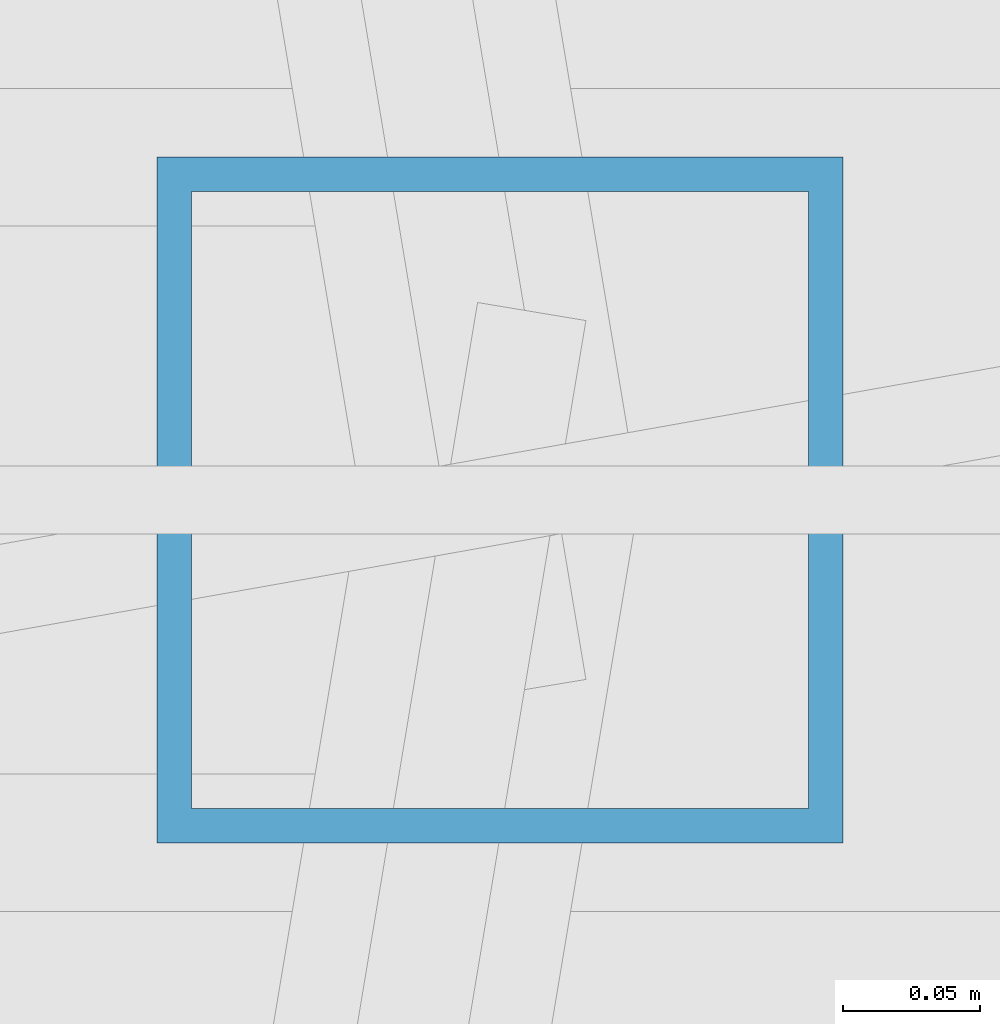
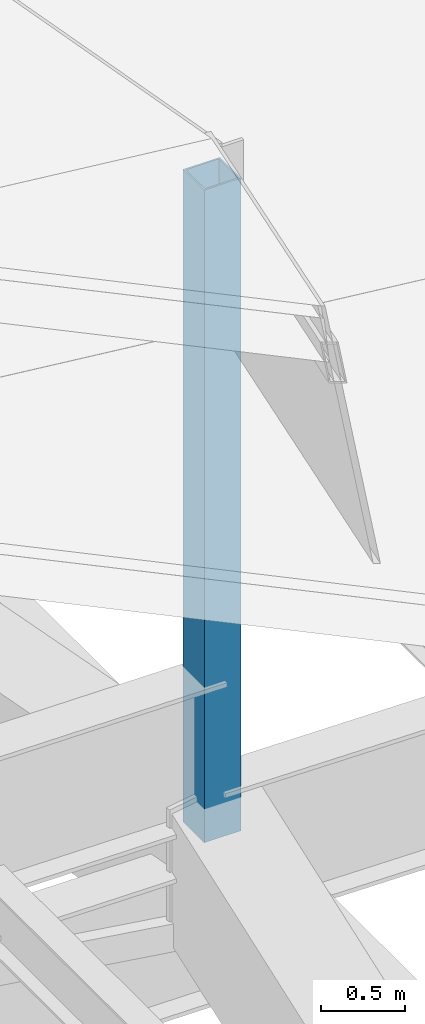
# One storey, part 130 of 184: 1 member.
"""IFC4 building model written with IfcOpenShell, lengths in metres."""

from ifc_helpers import new_model, si_unit, direction, frame, origin, origin_2d, place, context, subcontext, project, spatial, hollow_rectangle, extrude, material, material_profile, profile_set, type_object, element, save


model = new_model("IFC4")

# Units and contexts
model_context = context("Model", 3, precision=1e-05, world=origin(), true_north=direction((0.0, 1.0)))
body_context = subcontext(model_context, "Body", "Model", "MODEL_VIEW")
ifc_project = project(units=[si_unit("LENGTHUNIT", "METRE"), si_unit("AREAUNIT", "SQUARE_METRE"), si_unit("VOLUMEUNIT", "CUBIC_METRE"), si_unit("PLANEANGLEUNIT", "RADIAN"), si_unit("MASSUNIT", "GRAM", prefix="KILO")], contexts=[model_context])

# Site, building, storey
site_placement = place(None, origin())
site = spatial("IfcSite", under=ifc_project, at=site_placement, CompositionType="ELEMENT")
building_placement = place(site_placement, origin())
building = spatial("IfcBuilding", under=site, at=building_placement, Name="Kalgoora Escarpment Arena", CompositionType="ELEMENT")
storey_placement = place(building_placement, frame((0.0, 0.0, 27.60009765625)))
storey = spatial("IfcBuildingStorey", under=building, at=storey_placement, Name="Roof Level", CompositionType="ELEMENT", Elevation=27.60009765625)

# Member
ifc_material = material(Name="Structural steel C450 (450 MPa)", Category="steel")
ifc_material_profile = material_profile(ifc_material, hollow_rectangle(XDim=0.25, YDim=0.25, WallThickness=0.012451171875, at=origin_2d()))
ifc_profile_set = profile_set([ifc_material_profile], Name="Structural steel C450 (450 MPa)")
member_type = type_object("IfcMemberType", Name="MEM-PETAL-POST", PredefinedType="POST", material=ifc_profile_set)
member_placement = place(storey_placement, frame((146.39990234375, 64.0, -1.02001953125), z_axis=(0.0, 0.0, 1.0), x_axis=(1.0, 0.0, 0.0)))
element("IfcMember", 1, at=member_placement, inside=storey, type_object=member_type, Name="Petal RP3 vertical support post S01", PredefinedType="POST", context=body_context, shape_type="SweptSolid", body=[
    extrude(hollow_rectangle(XDim=0.25, YDim=0.25, WallThickness=0.012451171875, at=origin_2d()), origin(), (0.0, 0.0, 1.0), 4.724853515625),
])

save(model, "model.ifc")
